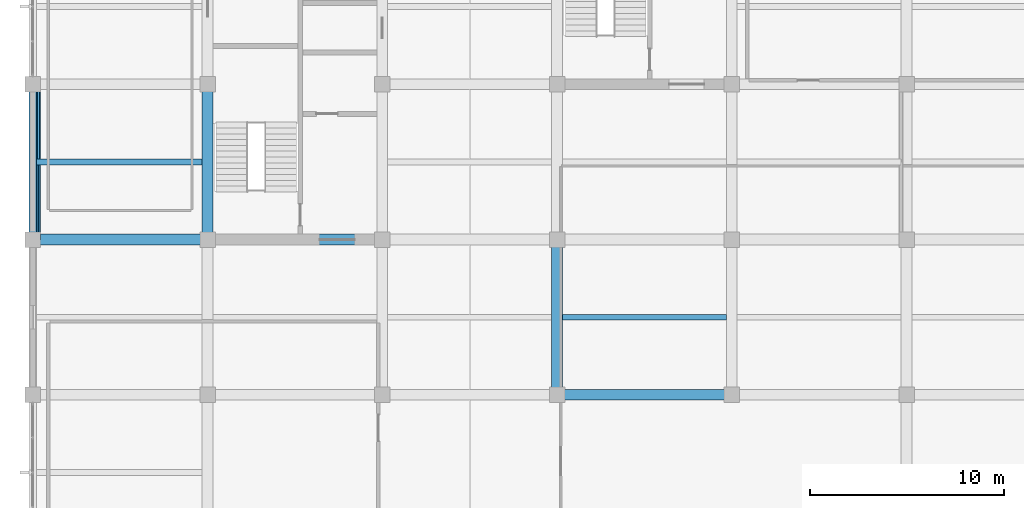
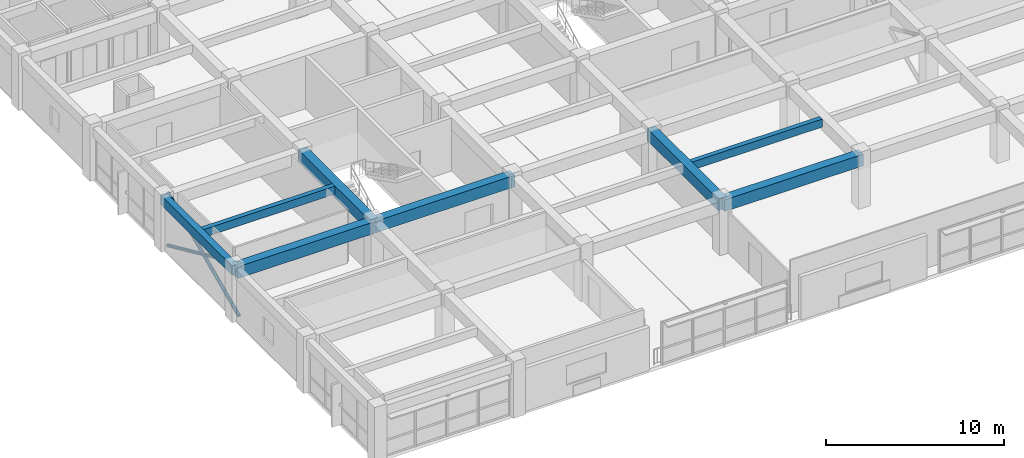
# One storey, part 3 of 16: 8 beams, 2 members.
"""IFC4 building model written with IfcOpenShell, lengths in metres."""

from ifc_helpers import new_model, si_unit, direction, frame, origin, origin_2d, place, context, subcontext, project, spatial, rectangle, hollow_circle, extrude, material, material_profile, profile_set, type_object, element, save


model = new_model("IFC4")

# Units and contexts
model_context = context("Model", 3, precision=1e-05, world=origin(), true_north=direction((0.0, 1.0)))
body_context = subcontext(model_context, "Body", "Model", "MODEL_VIEW")
ifc_project = project(units=[si_unit("LENGTHUNIT", "METRE"), si_unit("AREAUNIT", "SQUARE_METRE"), si_unit("VOLUMEUNIT", "CUBIC_METRE"), si_unit("PLANEANGLEUNIT", "RADIAN"), si_unit("MASSUNIT", "GRAM", prefix="KILO")], contexts=[model_context])

# Site, building, storey
site_placement = place(None, origin())
site = spatial("IfcSite", under=ifc_project, at=site_placement, CompositionType="ELEMENT")
building_placement = place(site_placement, origin())
building = spatial("IfcBuilding", under=site, at=building_placement, Name="Zaverband Oceanarium and Marine Research Institute", CompositionType="ELEMENT")
storey_placement = place(building_placement, frame((0.0, 0.0, 41.39990234375)))
storey = spatial("IfcBuildingStorey", under=building, at=storey_placement, Name="L10", CompositionType="ELEMENT", Elevation=41.39990234375)

# Beams
ifc_material_1 = material(Name="Concrete C40/50", Category="concrete")
ifc_material_profile_1 = material_profile(ifc_material_1, rectangle(XDim=0.550048828125, YDim=0.800048828125, at=origin_2d()), Name="RC550x800")
ifc_profile_set_1 = profile_set([ifc_material_profile_1], Name="Concrete C40/50")
beam_type_1 = type_object("IfcBeamType", Name="BM-550x800", PredefinedType="BEAM", material=ifc_profile_set_1)
for number, where, z_axis, x_axis, name in (
    (1, (36.0, 72.0, 3.22021484375), (1.0, 0.0, 0.0), (0.0, 1.0, 0.0), "Primary floor girder BM-550x800"),
    (2, (9.0, 80.0, 3.22021484375), (1.0, 0.0, 0.0), (0.0, 1.0, 0.0), "Primary floor girder BM-550x800"),
    (3, (18.0, 80.0, 3.22021484375), (1.0, 0.0, 0.0), (0.0, 1.0, 0.0), "Primary floor girder BM-550x800"),
):
    element("IfcBeam", number, at=place(storey_placement, frame(where, z_axis=z_axis, x_axis=x_axis)), inside=storey, type_object=beam_type_1, Name=name, PredefinedType="BEAM", context=body_context, shape_type="SweptSolid", body=[
        extrude(rectangle(XDim=0.550048828125, YDim=0.800048828125, at=origin_2d()), origin(), (0.0, 0.0, 1.0), 9.0),
    ])
for number, where, z_axis, x_axis, name in (
    (4, (18.0, 80.0, 3.22021484375), (0.0, 1.0, 0.0), (-1.0, 0.0, 0.0), "Primary floor girder BM-550x800"),
    (5, (36.0, 72.0, 3.22021484375), (0.0, 1.0, 0.0), (-1.0, 0.0, 0.0), "Primary floor girder BM-550x800"),
):
    element("IfcBeam", number, at=place(storey_placement, frame(where, z_axis=z_axis, x_axis=x_axis)), inside=storey, type_object=beam_type_1, Name=name, PredefinedType="BEAM", context=body_context, shape_type="SweptSolid", body=[
        extrude(rectangle(XDim=0.550048828125, YDim=0.800048828125, at=origin_2d()), origin(), (0.0, 0.0, 1.0), 8.0),
    ])

# Members
ifc_material_2 = material(Name="Steel S355", Category="steel")
ifc_material_profile_2 = material_profile(ifc_material_2, hollow_circle(Radius=0.109619140625, WallThickness=0.008056640625, at=origin_2d()), Name="CHS219x8")
ifc_profile_set_2 = profile_set([ifc_material_profile_2], Name="Steel S355")
member_type = type_object("IfcMemberType", Name="BR-02", PredefinedType="BRACE", material=ifc_profile_set_2)
for number, where, z_axis, x_axis, name in (
    (6, (9.280029296875, 80.0, 0.0), (0.0, 0.91106217571, 0.412268980146), (-1.0, 0.0, 0.0), "Diagonal lateral brace BR-02"),
    (7, (9.280029296875, 88.0, 0.0), (0.0, -0.91106217571, 0.412268980146), (1.0, 0.0, 0.0), "Diagonal lateral brace BR-02"),
):
    element("IfcMember", number, at=place(storey_placement, frame(where, z_axis=z_axis, x_axis=x_axis)), inside=storey, type_object=member_type, Name=name, PredefinedType="BRACE", context=body_context, shape_type="SweptSolid", body=[
        extrude(hollow_circle(Radius=0.109619140625, WallThickness=0.008056640625, at=origin_2d()), origin(), (0.0, 0.0, 1.0), 8.781005859375),
    ])

# Beams
ifc_material_profile_3 = material_profile(ifc_material_1, rectangle(XDim=0.300048828125, YDim=0.550048828125, at=origin_2d()), Name="RC300x550")
ifc_profile_set_3 = profile_set([ifc_material_profile_3], Name="Concrete C40/50")
beam_type_2 = type_object("IfcBeamType", Name="JST-300x550", PredefinedType="JOIST", material=ifc_profile_set_3)
beam_1_placement = place(storey_placement, frame((9.199951171875, 84.0, 3.34521484375), z_axis=(1.0, 0.0, 0.0), x_axis=(0.0, 1.0, 0.0)))
element("IfcBeam", 8, at=beam_1_placement, inside=storey, type_object=beam_type_2, Name="Secondary floor joist JST-300x550", PredefinedType="JOIST", context=body_context, shape_type="SweptSolid", body=[
    extrude(rectangle(XDim=0.300048828125, YDim=0.550048828125, at=origin_2d()), origin(), (0.0, 0.0, 1.0), 8.525146484375),
])
beam_2_placement = place(storey_placement, frame((36.27490234375, 76.0, 3.34521484375), z_axis=(1.0, 0.0, 0.0), x_axis=(0.0, 1.0, 0.0)))
element("IfcBeam", 9, at=beam_2_placement, inside=storey, type_object=beam_type_2, Name="Secondary floor joist JST-300x550", PredefinedType="JOIST", context=body_context, shape_type="SweptSolid", body=[
    extrude(rectangle(XDim=0.300048828125, YDim=0.550048828125, at=origin_2d()), origin(), (0.0, 0.0, 1.0), 8.4501953125),
])
ifc_material_profile_4 = material_profile(ifc_material_1, rectangle(XDim=0.39990234375, YDim=0.64990234375, at=origin_2d()), Name="RC400x650")
ifc_profile_set_4 = profile_set([ifc_material_profile_4], Name="Concrete C40/50")
beam_type_3 = type_object("IfcBeamType", Name="SPN-400x650", PredefinedType="SPANDREL", material=ifc_profile_set_4)
beam_3_placement = place(storey_placement, frame((9.0, 80.0, 3.295166015625), z_axis=(0.0, 1.0, 0.0), x_axis=(-1.0, 0.0, 0.0)))
element("IfcBeam", 10, at=beam_3_placement, inside=storey, type_object=beam_type_3, Name="Perimeter spandrel beam SPN-400x650", PredefinedType="SPANDREL", context=body_context, shape_type="SweptSolid", body=[
    extrude(rectangle(XDim=0.39990234375, YDim=0.64990234375, at=origin_2d()), origin(), (0.0, 0.0, 1.0), 8.0),
])

save(model, "model.ifc")
